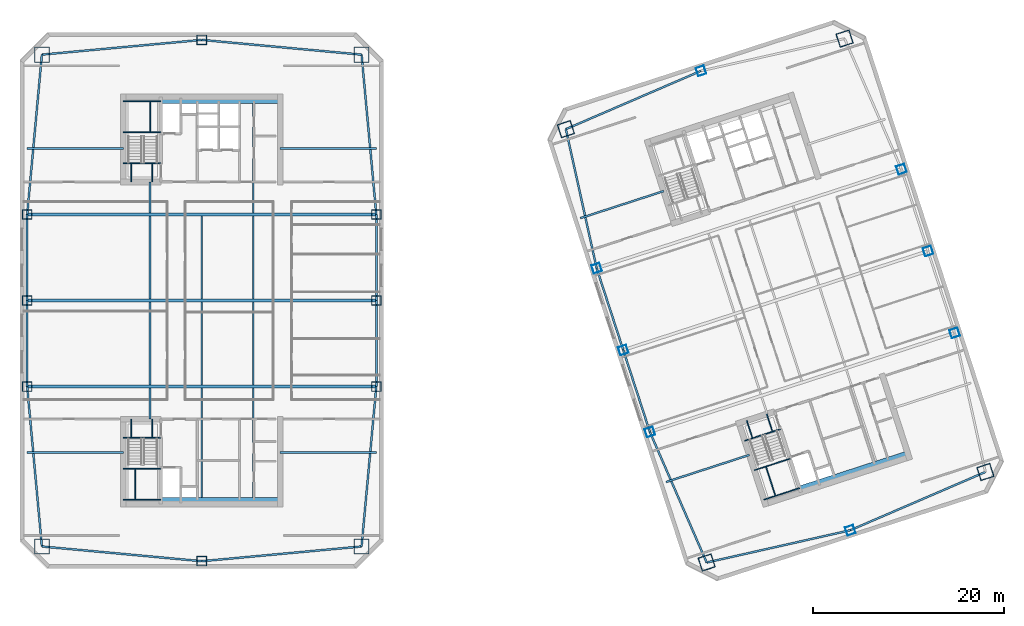
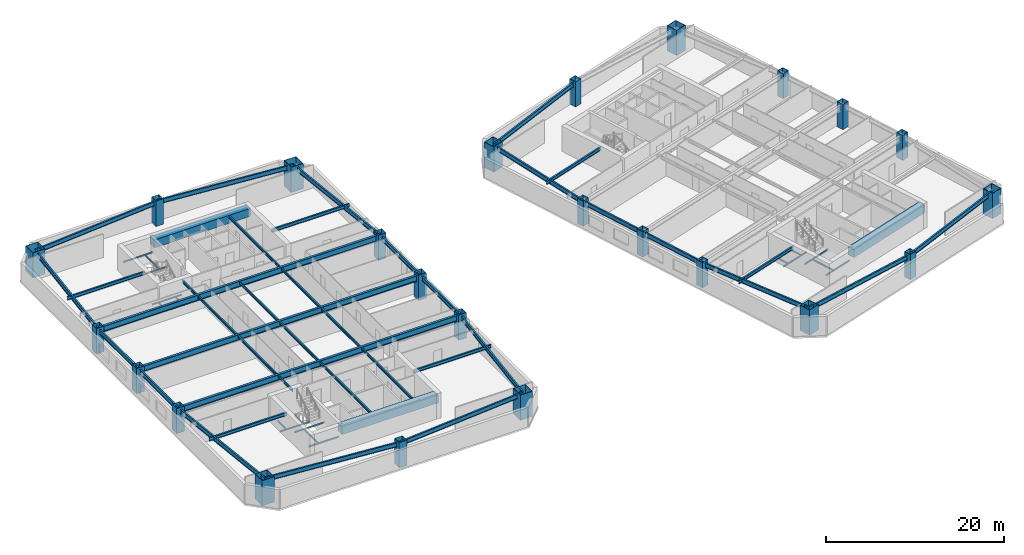
# One storey, part 1 of 10: 60 beams, 24 columns.
"""IFC4 building model written with IfcOpenShell, lengths in metres."""

from ifc_helpers import new_model, si_unit, direction, frame, origin, origin_2d, place, context, subcontext, project, spatial, rectangle, hollow_rectangle, i_section, extrude, material, material_profile, profile_set, type_object, element, save


model = new_model("IFC4")

# Units and contexts
model_context = context("Model", 3, precision=1e-05, world=origin(), true_north=direction((0.0, 1.0)))
body_context = subcontext(model_context, "Body", "Model", "MODEL_VIEW")
ifc_project = project(units=[si_unit("LENGTHUNIT", "METRE"), si_unit("AREAUNIT", "SQUARE_METRE"), si_unit("VOLUMEUNIT", "CUBIC_METRE"), si_unit("PLANEANGLEUNIT", "RADIAN"), si_unit("MASSUNIT", "GRAM", prefix="KILO")], contexts=[model_context])

# Site, building, storey
site_placement = place(None, origin())
site = spatial("IfcSite", under=ifc_project, at=site_placement, CompositionType="ELEMENT")
building_placement = place(site_placement, origin())
building = spatial("IfcBuilding", under=site, at=building_placement, Name="Qiaolan Cultural Towers", CompositionType="ELEMENT")
storey_placement = place(building_placement, frame((0.0, 0.0, 127.64990234375)))
storey = spatial("IfcBuildingStorey", under=building, at=storey_placement, Name="L33", CompositionType="ELEMENT", Elevation=127.64990234375)

# Columns
ifc_material_1 = material(Name="Steel Q355B", Category="steel")
ifc_material_profile_1 = material_profile(ifc_material_1, hollow_rectangle(XDim=1.0, YDim=1.0, WallThickness=0.035888671875, at=origin_2d()), Name="BOX1000x1000x36")
ifc_profile_set_1 = profile_set([ifc_material_profile_1], Name="Steel Q355B")
column_type_1 = type_object("IfcColumnType", Name="COL-BOX1000x1000x36", PredefinedType="COLUMN", material=ifc_profile_set_1)
for number, where, z_axis, x_axis, name in (
    (1, (11.75, 25.0, 0.0), (0.0, 0.0, 1.0), (1.0, 0.0, 0.0), "L33 T1 Perimeter Column PC-W1"),
    (2, (11.75, 34.0, 0.0), (0.0, 0.0, 1.0), (1.0, 0.0, 0.0), "L33 T1 Perimeter Column PC-W2"),
    (3, (11.75, 43.0, 0.0), (0.0, 0.0, 1.0), (1.0, 0.0, 0.0), "L33 T1 Perimeter Column PC-W3"),
    (4, (48.25, 25.0, 0.0), (0.0, 0.0, 1.0), (1.0, 0.0, 0.0), "L33 T1 Perimeter Column PC-E1"),
    (5, (48.25, 34.0, 0.0), (0.0, 0.0, 1.0), (1.0, 0.0, 0.0), "L33 T1 Perimeter Column PC-E2"),
    (6, (48.25, 43.0, 0.0), (0.0, 0.0, 1.0), (1.0, 0.0, 0.0), "L33 T1 Perimeter Column PC-E3"),
    (7, (30.0, 6.75, 0.0), (0.0, 0.0, 1.0), (1.0, 0.0, 0.0), "L33 T1 Perimeter Column PC-S0"),
    (8, (30.0, 61.25, 0.0), (0.0, 0.0, 1.0), (1.0, 0.0, 0.0), "L33 T1 Perimeter Column PC-N0"),
):
    element("IfcColumn", number, at=place(storey_placement, frame(where, z_axis=z_axis, x_axis=x_axis)), inside=storey, type_object=column_type_1, Name=name, PredefinedType="COLUMN", context=body_context, shape_type="SweptSolid", body=[
        extrude(hollow_rectangle(XDim=1.0, YDim=1.0, WallThickness=0.035888671875, at=origin_2d()), origin(), (0.0, 0.0, 1.0), 3.451171875),
    ])
ifc_material_2 = material(Name="Steel Q420GJB", Category="steel")
ifc_material_profile_2 = material_profile(ifc_material_2, hollow_rectangle(XDim=1.449951171875, YDim=1.449951171875, WallThickness=0.050048828125, at=origin_2d()), Name="BOX1450x1450x50")
ifc_profile_set_2 = profile_set([ifc_material_profile_2], Name="Steel Q420GJB")
column_type_2 = type_object("IfcColumnType", Name="COL-BOX1450x1450x50", PredefinedType="COLUMN", material=ifc_profile_set_2)
for number, where, z_axis, x_axis, name in (
    (9, (82.79052734375, 6.611572265625, 0.0), (0.0, 0.0, 1.0), (0.951056516295, 0.309016994375, 0.0), "L33 T2 Perimeter Column MC-SW"),
    (10, (111.930908203125, 16.080078125, 0.0), (0.0, 0.0, 1.0), (0.951056516295, 0.309016994375, 0.0), "L33 T2 Perimeter Column MC-SE"),
    (11, (97.20947265625, 61.388427734375, 0.0), (0.0, 0.0, 1.0), (0.951056516295, 0.309016994375, 0.0), "L33 T2 Perimeter Column MC-NE"),
    (12, (68.069091796875, 51.919921875, 0.0), (0.0, 0.0, 1.0), (0.951056516295, 0.309016994375, 0.0), "L33 T2 Perimeter Column MC-NW"),
):
    element("IfcColumn", number, at=place(storey_placement, frame(where, z_axis=z_axis, x_axis=x_axis)), inside=storey, type_object=column_type_2, Name=name, PredefinedType="COLUMN", context=body_context, shape_type="SweptSolid", body=[
        extrude(hollow_rectangle(XDim=1.449951171875, YDim=1.449951171875, WallThickness=0.050048828125, at=origin_2d()), origin(), (0.0, 0.0, 1.0), 3.451171875),
    ])
ifc_material_3 = material(Name="Steel Q420GJB", Category="steel")
ifc_material_profile_3 = material_profile(ifc_material_3, hollow_rectangle(XDim=1.60009765625, YDim=1.60009765625, WallThickness=0.054931640625, at=origin_2d()), Name="BOX1600x1600x55")
ifc_profile_set_3 = profile_set([ifc_material_profile_3], Name="Steel Q420GJB")
column_type_3 = type_object("IfcColumnType", Name="COL-BOX1600x1600x55", PredefinedType="COLUMN", material=ifc_profile_set_3)
for number, where, z_axis, x_axis, name in (
    (13, (13.2900390625, 8.2900390625, 0.0), (0.0, 0.0, 1.0), (1.0, 0.0, 0.0), "L33 T1 Perimeter Column MC-SW"),
    (14, (46.7099609375, 8.2900390625, 0.0), (0.0, 0.0, 1.0), (1.0, 0.0, 0.0), "L33 T1 Perimeter Column MC-SE"),
    (15, (46.7099609375, 59.7099609375, 0.0), (0.0, 0.0, 1.0), (1.0, 0.0, 0.0), "L33 T1 Perimeter Column MC-NE"),
    (16, (13.2900390625, 59.7099609375, 0.0), (0.0, 0.0, 1.0), (1.0, 0.0, 0.0), "L33 T1 Perimeter Column MC-NW"),
):
    element("IfcColumn", number, at=place(storey_placement, frame(where, z_axis=z_axis, x_axis=x_axis)), inside=storey, type_object=column_type_3, Name=name, PredefinedType="COLUMN", context=body_context, shape_type="SweptSolid", body=[
        extrude(hollow_rectangle(XDim=1.60009765625, YDim=1.60009765625, WallThickness=0.054931640625, at=origin_2d()), origin(), (0.0, 0.0, 1.0), 3.451171875),
    ])
ifc_material_4 = material(Name="Steel Q355B", Category="steel")
ifc_material_profile_4 = material_profile(ifc_material_4, hollow_rectangle(XDim=0.89990234375, YDim=0.89990234375, WallThickness=0.031982421875, at=origin_2d()), Name="BOX900x900x32")
ifc_profile_set_4 = profile_set([ifc_material_profile_4], Name="Steel Q355B")
column_type_4 = type_object("IfcColumnType", Name="COL-BOX900x900x32", PredefinedType="COLUMN", material=ifc_profile_set_4)
for number, where, z_axis, x_axis, name in (
    (17, (76.85107421875, 20.264404296875, 0.0), (0.0, 0.0, 1.0), (0.951056516295, 0.309016994375, 0.0), "L33 T2 Perimeter Column PC-W1"),
    (18, (74.06982421875, 28.823974609375, 0.0), (0.0, 0.0, 1.0), (0.951056516295, 0.309016994375, 0.0), "L33 T2 Perimeter Column PC-W2"),
    (19, (71.28857421875, 37.383544921875, 0.0), (0.0, 0.0, 1.0), (0.951056516295, 0.309016994375, 0.0), "L33 T2 Perimeter Column PC-W3"),
    (20, (108.71142578125, 30.616455078125, 0.0), (0.0, 0.0, 1.0), (0.951056516295, 0.309016994375, 0.0), "L33 T2 Perimeter Column PC-E1"),
    (21, (105.93017578125, 39.176025390625, 0.0), (0.0, 0.0, 1.0), (0.951056516295, 0.309016994375, 0.0), "L33 T2 Perimeter Column PC-E2"),
    (22, (103.14892578125, 47.735595703125, 0.0), (0.0, 0.0, 1.0), (0.951056516295, 0.309016994375, 0.0), "L33 T2 Perimeter Column PC-E3"),
    (23, (97.802734375, 9.98583984375, 0.0), (0.0, 0.0, 1.0), (0.951056516295, 0.309016994375, 0.0), "L33 T2 Perimeter Column PC-S0"),
    (24, (82.197265625, 58.01416015625, 0.0), (0.0, 0.0, 1.0), (0.951056516295, 0.309016994375, 0.0), "L33 T2 Perimeter Column PC-N0"),
):
    element("IfcColumn", number, at=place(storey_placement, frame(where, z_axis=z_axis, x_axis=x_axis)), inside=storey, type_object=column_type_4, Name=name, PredefinedType="COLUMN", context=body_context, shape_type="SweptSolid", body=[
        extrude(hollow_rectangle(XDim=0.89990234375, YDim=0.89990234375, WallThickness=0.031982421875, at=origin_2d()), origin(), (0.0, 0.0, 1.0), 3.451171875),
    ])

# Beams
ifc_material_5 = material(Name="Steel Q355B", Category="steel")
ifc_material_profile_5 = material_profile(ifc_material_5, i_section(OverallWidth=0.300048828125, OverallDepth=0.800048828125, WebThickness=0.013916015625, FlangeThickness=0.02587890625, at=origin_2d()), Name="HN800x300x14x26")
ifc_profile_set_5 = profile_set([ifc_material_profile_5], Name="Steel Q355B")
beam_type_1 = type_object("IfcBeamType", Name="BM-HN800x300x14x26", PredefinedType="BEAM", material=ifc_profile_set_5)
for number, where, z_axis, x_axis, name in (
    (25, (11.75, 25.0, 2.7900390625), (1.0, 0.0, 0.0), (0.0, 1.0, 0.0), "L33 T1 Primary Transverse Girder V1"),
    (26, (11.75, 34.0, 2.7900390625), (1.0, 0.0, 0.0), (0.0, 1.0, 0.0), "L33 T1 Primary Transverse Girder V2"),
    (27, (11.75, 43.0, 2.7900390625), (1.0, 0.0, 0.0), (0.0, 1.0, 0.0), "L33 T1 Primary Transverse Girder V3"),
):
    element("IfcBeam", number, at=place(storey_placement, frame(where, z_axis=z_axis, x_axis=x_axis)), inside=storey, type_object=beam_type_1, Name=name, PredefinedType="BEAM", context=body_context, shape_type="SweptSolid", body=[
        extrude(i_section(OverallWidth=0.300048828125, OverallDepth=0.800048828125, WebThickness=0.013916015625, FlangeThickness=0.02587890625, at=origin_2d()), origin(), (0.0, 0.0, 1.0), 36.5),
    ])
ifc_material_6 = material(Name="Steel Q355B", Category="steel")
ifc_material_profile_6 = material_profile(ifc_material_6, i_section(OverallWidth=0.175048828125, OverallDepth=0.35009765625, WebThickness=0.007080078125, FlangeThickness=0.010986328125, at=origin_2d()), Name="HN350x175x7x11")
ifc_profile_set_6 = profile_set([ifc_material_profile_6], Name="Steel Q355B")
beam_type_2 = type_object("IfcBeamType", Name="BM-JST-HN350x175x7x11", PredefinedType="JOIST", material=ifc_profile_set_6)
beam_1_placement = place(storey_placement, frame((24.60009765625, 21.60009765625, 3.01513671875), z_axis=(0.0, 1.0, 0.0), x_axis=(-1.0, 0.0, 0.0)))
element("IfcBeam", 28, at=beam_1_placement, inside=storey, type_object=beam_type_2, Name="L33 T1 Secondary Floor Joist U1-1", PredefinedType="JOIST", context=body_context, shape_type="SweptSolid", body=[
    extrude(i_section(OverallWidth=0.175048828125, OverallDepth=0.35009765625, WebThickness=0.007080078125, FlangeThickness=0.010986328125, at=origin_2d()), origin(), (0.0, 0.0, 1.0), 3.25),
])
for number, where, z_axis, x_axis, name in (
    (29, (24.60009765625, 25.14990234375, 3.01513671875), (0.0, 1.0, 0.0), (-1.0, 0.0, 0.0), "L33 T1 Secondary Floor Joist U1-2"),
    (30, (24.60009765625, 34.14990234375, 3.01513671875), (0.0, 1.0, 0.0), (-1.0, 0.0, 0.0), "L33 T1 Secondary Floor Joist U1-3"),
):
    element("IfcBeam", number, at=place(storey_placement, frame(where, z_axis=z_axis, x_axis=x_axis)), inside=storey, type_object=beam_type_2, Name=name, PredefinedType="JOIST", context=body_context, shape_type="SweptSolid", body=[
        extrude(i_section(OverallWidth=0.175048828125, OverallDepth=0.35009765625, WebThickness=0.007080078125, FlangeThickness=0.010986328125, at=origin_2d()), origin(), (0.0, 0.0, 1.0), 8.7001953125),
    ])
beam_2_placement = place(storey_placement, frame((24.60009765625, 43.14990234375, 3.01513671875), z_axis=(0.0, 1.0, 0.0), x_axis=(-1.0, 0.0, 0.0)))
element("IfcBeam", 31, at=beam_2_placement, inside=storey, type_object=beam_type_2, Name="L33 T1 Secondary Floor Joist U1-4", PredefinedType="JOIST", context=body_context, shape_type="SweptSolid", body=[
    extrude(i_section(OverallWidth=0.175048828125, OverallDepth=0.35009765625, WebThickness=0.007080078125, FlangeThickness=0.010986328125, at=origin_2d()), origin(), (0.0, 0.0, 1.0), 3.25),
])
beam_3_placement = place(storey_placement, frame((30.0, 13.39990234375, 3.01513671875), z_axis=(0.0, 1.0, 0.0), x_axis=(-1.0, 0.0, 0.0)))
element("IfcBeam", 32, at=beam_3_placement, inside=storey, type_object=beam_type_2, Name="L33 T1 Secondary Floor Joist U2-1", PredefinedType="JOIST", context=body_context, shape_type="SweptSolid", body=[
    extrude(i_section(OverallWidth=0.175048828125, OverallDepth=0.35009765625, WebThickness=0.007080078125, FlangeThickness=0.010986328125, at=origin_2d()), origin(), (0.0, 0.0, 1.0), 11.4501953125),
])
for number, where, z_axis, x_axis, name in (
    (33, (30.0, 25.14990234375, 3.01513671875), (0.0, 1.0, 0.0), (-1.0, 0.0, 0.0), "L33 T1 Secondary Floor Joist U2-2"),
    (34, (30.0, 34.14990234375, 3.01513671875), (0.0, 1.0, 0.0), (-1.0, 0.0, 0.0), "L33 T1 Secondary Floor Joist U2-3"),
):
    element("IfcBeam", number, at=place(storey_placement, frame(where, z_axis=z_axis, x_axis=x_axis)), inside=storey, type_object=beam_type_2, Name=name, PredefinedType="JOIST", context=body_context, shape_type="SweptSolid", body=[
        extrude(i_section(OverallWidth=0.175048828125, OverallDepth=0.35009765625, WebThickness=0.007080078125, FlangeThickness=0.010986328125, at=origin_2d()), origin(), (0.0, 0.0, 1.0), 8.7001953125),
    ])
beam_4_placement = place(storey_placement, frame((35.39990234375, 13.39990234375, 3.01513671875), z_axis=(0.0, 1.0, 0.0), x_axis=(-1.0, 0.0, 0.0)))
element("IfcBeam", 35, at=beam_4_placement, inside=storey, type_object=beam_type_2, Name="L33 T1 Secondary Floor Joist U3-1", PredefinedType="JOIST", context=body_context, shape_type="SweptSolid", body=[
    extrude(i_section(OverallWidth=0.175048828125, OverallDepth=0.35009765625, WebThickness=0.007080078125, FlangeThickness=0.010986328125, at=origin_2d()), origin(), (0.0, 0.0, 1.0), 11.4501953125),
])
for number, where, z_axis, x_axis, name in (
    (36, (35.39990234375, 25.14990234375, 3.01513671875), (0.0, 1.0, 0.0), (-1.0, 0.0, 0.0), "L33 T1 Secondary Floor Joist U3-2"),
    (37, (35.39990234375, 34.14990234375, 3.01513671875), (0.0, 1.0, 0.0), (-1.0, 0.0, 0.0), "L33 T1 Secondary Floor Joist U3-3"),
):
    element("IfcBeam", number, at=place(storey_placement, frame(where, z_axis=z_axis, x_axis=x_axis)), inside=storey, type_object=beam_type_2, Name=name, PredefinedType="JOIST", context=body_context, shape_type="SweptSolid", body=[
        extrude(i_section(OverallWidth=0.175048828125, OverallDepth=0.35009765625, WebThickness=0.007080078125, FlangeThickness=0.010986328125, at=origin_2d()), origin(), (0.0, 0.0, 1.0), 8.7001953125),
    ])
beam_5_placement = place(storey_placement, frame((35.39990234375, 43.14990234375, 3.01513671875), z_axis=(0.0, 1.0, 0.0), x_axis=(-1.0, 0.0, 0.0)))
element("IfcBeam", 38, at=beam_5_placement, inside=storey, type_object=beam_type_2, Name="L33 T1 Secondary Floor Joist U3-4", PredefinedType="JOIST", context=body_context, shape_type="SweptSolid", body=[
    extrude(i_section(OverallWidth=0.175048828125, OverallDepth=0.35009765625, WebThickness=0.007080078125, FlangeThickness=0.010986328125, at=origin_2d()), origin(), (0.0, 0.0, 1.0), 11.4501953125),
])
ifc_material_7 = material(Name="Steel Q355B", Category="steel")
ifc_material_profile_7 = material_profile(ifc_material_7, i_section(OverallWidth=0.199951171875, OverallDepth=0.449951171875, WebThickness=0.009033203125, FlangeThickness=0.013916015625, at=origin_2d()), Name="HN450x200x9x14")
ifc_profile_set_7 = profile_set([ifc_material_profile_7], Name="Steel Q355B")
beam_type_3 = type_object("IfcBeamType", Name="BM-LNT-HN450x200x9x14", PredefinedType="LINTEL", material=ifc_profile_set_7)
for number, where, z_axis, x_axis, name in (
    (39, (21.800048828125, 18.10009765625, 2.965087890625), (-1.0, 0.0, 0.0), (0.0, -1.0, 0.0), "L33 T1 Core Flank Tie Lintel WS"),
    (40, (21.800048828125, 49.89990234375, 2.965087890625), (-1.0, 0.0, 0.0), (0.0, -1.0, 0.0), "L33 T1 Core Flank Tie Lintel WN"),
    (41, (38.199951171875, 18.10009765625, 2.965087890625), (1.0, 0.0, 0.0), (0.0, 1.0, 0.0), "L33 T1 Core Flank Tie Lintel ES"),
    (42, (38.199951171875, 49.89990234375, 2.965087890625), (1.0, 0.0, 0.0), (0.0, 1.0, 0.0), "L33 T1 Core Flank Tie Lintel EN"),
):
    element("IfcBeam", number, at=place(storey_placement, frame(where, z_axis=z_axis, x_axis=x_axis)), inside=storey, type_object=beam_type_3, Name=name, PredefinedType="LINTEL", context=body_context, shape_type="SweptSolid", body=[
        extrude(i_section(OverallWidth=0.199951171875, OverallDepth=0.449951171875, WebThickness=0.009033203125, FlangeThickness=0.013916015625, at=origin_2d()), origin(), (0.0, 0.0, 1.0), 10.050048828125),
    ])
for number, where, z_axis, x_axis, name in (
    (43, (87.252685546875, 17.861083984375, 2.965087890625), (-0.951059948176, -0.309006431933, 0.0), (0.309006431933, -0.951059948176, 0.0), "L33 T2 Core Flank Tie Lintel WS"),
    (44, (78.291259765625, 45.44189453125, 2.965087890625), (-0.951052106475, -0.309030566076, 0.0), (0.309030566076, -0.951052106475, 0.0), "L33 T2 Core Flank Tie Lintel WN"),
):
    element("IfcBeam", number, at=place(storey_placement, frame(where, z_axis=z_axis, x_axis=x_axis)), inside=storey, type_object=beam_type_3, Name=name, PredefinedType="LINTEL", context=body_context, shape_type="SweptSolid", body=[
        extrude(i_section(OverallWidth=0.199951171875, OverallDepth=0.449951171875, WebThickness=0.009033203125, FlangeThickness=0.013916015625, at=origin_2d()), origin(), (0.0, 0.0, 1.0), 9.14990234375),
    ])
ifc_material_8 = material(Name="Concrete C50", Category="concrete")
ifc_material_profile_8 = material_profile(ifc_material_8, rectangle(XDim=0.89990234375, YDim=1.10009765625, at=origin_2d()), Name="RC900x1100")
ifc_profile_set_8 = profile_set([ifc_material_profile_8], Name="Concrete C50")
beam_type_4 = type_object("IfcBeamType", Name="BM-RC900x1100", PredefinedType="BEAM", material=ifc_profile_set_8)
for number, where, z_axis, x_axis, name in (
    (45, (25.719970703125, 12.949951171875, 2.64013671875), (1.0, 0.0, 0.0), (0.0, 1.0, 0.0), "L33 T1 Core Header Girder S"),
    (46, (25.719970703125, 55.050048828125, 2.64013671875), (1.0, 0.0, 0.0), (0.0, 1.0, 0.0), "L33 T1 Core Header Girder N"),
):
    element("IfcBeam", number, at=place(storey_placement, frame(where, z_axis=z_axis, x_axis=x_axis)), inside=storey, type_object=beam_type_4, Name=name, PredefinedType="BEAM", context=body_context, shape_type="SweptSolid", body=[
        extrude(rectangle(XDim=0.89990234375, YDim=1.10009765625, at=origin_2d()), origin(), (0.0, 0.0, 1.0), 12.47998046875),
    ])
beam_6_placement = place(storey_placement, frame((92.572265625, 14.174560546875, 2.64013671875), z_axis=(0.951056266386, 0.309017763514, 0.0), x_axis=(-0.309017763514, 0.951056266386, 0.0)))
element("IfcBeam", 47, at=beam_6_placement, inside=storey, type_object=beam_type_4, Name="L33 T2 Core Header Girder S", PredefinedType="BEAM", context=body_context, shape_type="SweptSolid", body=[
    extrude(rectangle(XDim=0.89990234375, YDim=1.10009765625, at=origin_2d()), origin(), (0.0, 0.0, 1.0), 11.880126953125),
])
ifc_material_9 = material(Name="Steel Q355B", Category="steel")
ifc_material_profile_9 = material_profile(ifc_material_9, i_section(OverallWidth=0.199951171875, OverallDepth=0.60009765625, WebThickness=0.010986328125, FlangeThickness=0.01708984375, at=origin_2d()), Name="HN600x200x11x17")
ifc_profile_set_9 = profile_set([ifc_material_profile_9], Name="Steel Q355B")
beam_type_5 = type_object("IfcBeamType", Name="BM-SPD-HN600x200x11x17", PredefinedType="SPANDREL", material=ifc_profile_set_9)
for number, where, z_axis, x_axis, name in (
    (48, (13.2900390625, 8.2900390625, 2.89013671875), (0.995779862064, -0.09177399582, 0.0), (0.09177399582, 0.995779862064, 0.0), "L33 T1 Perimeter Spandrel Beam 1"),
    (49, (30.0, 6.75, 2.89013671875), (0.995779862064, 0.09177399582, 0.0), (-0.09177399582, 0.995779862064, 0.0), "L33 T1 Perimeter Spandrel Beam 2"),
    (50, (46.7099609375, 8.2900390625, 2.89013671875), (0.09177399582, 0.995779862064, 0.0), (-0.995779862064, 0.09177399582, 0.0), "L33 T1 Perimeter Spandrel Beam 3"),
):
    element("IfcBeam", number, at=place(storey_placement, frame(where, z_axis=z_axis, x_axis=x_axis)), inside=storey, type_object=beam_type_5, Name=name, PredefinedType="SPANDREL", context=body_context, shape_type="SweptSolid", body=[
        extrude(i_section(OverallWidth=0.199951171875, OverallDepth=0.60009765625, WebThickness=0.010986328125, FlangeThickness=0.01708984375, at=origin_2d()), origin(), (0.0, 0.0, 1.0), 16.78076171875),
    ])
for number, where, z_axis, x_axis, name in (
    (51, (48.25, 25.0, 2.89013671875), (0.0, 1.0, 0.0), (-1.0, 0.0, 0.0), "L33 T1 Perimeter Spandrel Beam 4"),
    (52, (48.25, 34.0, 2.89013671875), (0.0, 1.0, 0.0), (-1.0, 0.0, 0.0), "L33 T1 Perimeter Spandrel Beam 5"),
):
    element("IfcBeam", number, at=place(storey_placement, frame(where, z_axis=z_axis, x_axis=x_axis)), inside=storey, type_object=beam_type_5, Name=name, PredefinedType="SPANDREL", context=body_context, shape_type="SweptSolid", body=[
        extrude(i_section(OverallWidth=0.199951171875, OverallDepth=0.60009765625, WebThickness=0.010986328125, FlangeThickness=0.01708984375, at=origin_2d()), origin(), (0.0, 0.0, 1.0), 9.0),
    ])
for number, where, z_axis, x_axis, name in (
    (53, (48.25, 43.0, 2.89013671875), (-0.09177399582, 0.995779862064, 0.0), (-0.995779862064, -0.09177399582, 0.0), "L33 T1 Perimeter Spandrel Beam 6"),
    (54, (46.7099609375, 59.7099609375, 2.89013671875), (-0.995779862064, 0.09177399582, 0.0), (-0.09177399582, -0.995779862064, 0.0), "L33 T1 Perimeter Spandrel Beam 7"),
    (55, (30.0, 61.25, 2.89013671875), (-0.995779862064, -0.09177399582, 0.0), (0.09177399582, -0.995779862064, 0.0), "L33 T1 Perimeter Spandrel Beam 8"),
    (56, (13.2900390625, 59.7099609375, 2.89013671875), (-0.09177399582, -0.995779862064, 0.0), (0.995779862064, -0.09177399582, 0.0), "L33 T1 Perimeter Spandrel Beam 9"),
):
    element("IfcBeam", number, at=place(storey_placement, frame(where, z_axis=z_axis, x_axis=x_axis)), inside=storey, type_object=beam_type_5, Name=name, PredefinedType="SPANDREL", context=body_context, shape_type="SweptSolid", body=[
        extrude(i_section(OverallWidth=0.199951171875, OverallDepth=0.60009765625, WebThickness=0.010986328125, FlangeThickness=0.01708984375, at=origin_2d()), origin(), (0.0, 0.0, 1.0), 16.78076171875),
    ])
for number, where, z_axis, x_axis, name in (
    (57, (11.75, 43.0, 2.89013671875), (0.0, -1.0, 0.0), (1.0, 0.0, 0.0), "L33 T1 Perimeter Spandrel Beam 10"),
    (58, (11.75, 34.0, 2.89013671875), (0.0, -1.0, 0.0), (1.0, 0.0, 0.0), "L33 T1 Perimeter Spandrel Beam 11"),
):
    element("IfcBeam", number, at=place(storey_placement, frame(where, z_axis=z_axis, x_axis=x_axis)), inside=storey, type_object=beam_type_5, Name=name, PredefinedType="SPANDREL", context=body_context, shape_type="SweptSolid", body=[
        extrude(i_section(OverallWidth=0.199951171875, OverallDepth=0.60009765625, WebThickness=0.010986328125, FlangeThickness=0.01708984375, at=origin_2d()), origin(), (0.0, 0.0, 1.0), 9.0),
    ])
beam_7_placement = place(storey_placement, frame((11.75, 25.0, 2.89013671875), z_axis=(0.09177399582, -0.995779862064, 0.0), x_axis=(0.995779862064, 0.09177399582, 0.0)))
element("IfcBeam", 59, at=beam_7_placement, inside=storey, type_object=beam_type_5, Name="L33 T1 Perimeter Spandrel Beam 12", PredefinedType="SPANDREL", context=body_context, shape_type="SweptSolid", body=[
    extrude(i_section(OverallWidth=0.199951171875, OverallDepth=0.60009765625, WebThickness=0.010986328125, FlangeThickness=0.01708984375, at=origin_2d()), origin(), (0.0, 0.0, 1.0), 16.78076171875),
])
beam_8_placement = place(storey_placement, frame((82.79052734375, 6.611572265625, 2.89013671875), z_axis=(0.975658154374, 0.219296980836, 0.0), x_axis=(-0.219296980836, 0.975658154374, 0.0)))
element("IfcBeam", 60, at=beam_8_placement, inside=storey, type_object=beam_type_5, Name="L33 T2 Perimeter Spandrel Beam 1", PredefinedType="SPANDREL", context=body_context, shape_type="SweptSolid", body=[
    extrude(i_section(OverallWidth=0.199951171875, OverallDepth=0.60009765625, WebThickness=0.010986328125, FlangeThickness=0.01708984375, at=origin_2d()), origin(), (0.0, 0.0, 1.0), 15.38671875),
])
for number, where, z_axis, x_axis, name in (
    (61, (97.802734375, 9.98583984375, 2.89013671875), (0.918217549337, 0.396076422032, 0.0), (-0.396076422032, 0.918217549337, 0.0), "L33 T2 Perimeter Spandrel Beam 2"),
    (62, (82.197265625, 58.01416015625, 2.89013671875), (-0.918217549337, -0.396076422032, 0.0), (0.396076422032, -0.918217549337, 0.0), "L33 T2 Perimeter Spandrel Beam 8"),
):
    element("IfcBeam", number, at=place(storey_placement, frame(where, z_axis=z_axis, x_axis=x_axis)), inside=storey, type_object=beam_type_5, Name=name, PredefinedType="SPANDREL", context=body_context, shape_type="SweptSolid", body=[
        extrude(i_section(OverallWidth=0.199951171875, OverallDepth=0.60009765625, WebThickness=0.010986328125, FlangeThickness=0.01708984375, at=origin_2d()), origin(), (0.0, 0.0, 1.0), 15.386474609375),
    ])
beam_9_placement = place(storey_placement, frame((68.069091796875, 51.919921875, 2.89013671875), z_axis=(0.216237644833, -0.976340760676, 0.0), x_axis=(0.976340760676, 0.216237644833, 0.0)))
element("IfcBeam", 63, at=beam_9_placement, inside=storey, type_object=beam_type_5, Name="L33 T2 Perimeter Spandrel Beam 9", PredefinedType="SPANDREL", context=body_context, shape_type="SweptSolid", body=[
    extrude(i_section(OverallWidth=0.199951171875, OverallDepth=0.60009765625, WebThickness=0.010986328125, FlangeThickness=0.01708984375, at=origin_2d()), origin(), (0.0, 0.0, 1.0), 14.888671875),
])
for number, where, z_axis, x_axis, name in (
    (64, (71.28857421875, 37.383544921875, 2.89013671875), (0.309024734286, -0.951054001411, 0.0), (0.951054001411, 0.309024734286, 0.0), "L33 T2 Perimeter Spandrel Beam 10"),
    (65, (74.06982421875, 28.823974609375, 2.89013671875), (0.309024734286, -0.951054001411, 0.0), (0.951054001411, 0.309024734286, 0.0), "L33 T2 Perimeter Spandrel Beam 11"),
):
    element("IfcBeam", number, at=place(storey_placement, frame(where, z_axis=z_axis, x_axis=x_axis)), inside=storey, type_object=beam_type_5, Name=name, PredefinedType="SPANDREL", context=body_context, shape_type="SweptSolid", body=[
        extrude(i_section(OverallWidth=0.199951171875, OverallDepth=0.60009765625, WebThickness=0.010986328125, FlangeThickness=0.01708984375, at=origin_2d()), origin(), (0.0, 0.0, 1.0), 9.0),
    ])
beam_10_placement = place(storey_placement, frame((76.85107421875, 20.264404296875, 2.89013671875), z_axis=(0.398920370799, -0.916985571185, 0.0), x_axis=(0.916985571185, 0.398920370799, 0.0)))
element("IfcBeam", 66, at=beam_10_placement, inside=storey, type_object=beam_type_5, Name="L33 T2 Perimeter Spandrel Beam 12", PredefinedType="SPANDREL", context=body_context, shape_type="SweptSolid", body=[
    extrude(i_section(OverallWidth=0.199951171875, OverallDepth=0.60009765625, WebThickness=0.010986328125, FlangeThickness=0.01708984375, at=origin_2d()), origin(), (0.0, 0.0, 1.0), 14.888916015625),
])
ifc_material_10 = material(Name="Steel Q355B", Category="steel")
ifc_material_profile_10 = material_profile(ifc_material_10, i_section(OverallWidth=0.10009765625, OverallDepth=0.199951171875, WebThickness=0.005615234375, FlangeThickness=0.008056640625, at=origin_2d()), Name="HN200x100x5.5x8")
ifc_profile_set_10 = profile_set([ifc_material_profile_10], Name="Steel Q355B")
beam_type_6 = type_object("IfcBeamType", Name="BM-STTRIM-200", PredefinedType="BEAM", material=ifc_profile_set_10)
beam_11_placement = place(storey_placement, frame((21.800048828125, 19.659912109375, -0.4599609375), z_axis=(1.0, 0.0, 0.0), x_axis=(0.0, 1.0, 0.0)))
element("IfcBeam", 67, at=beam_11_placement, inside=storey, type_object=beam_type_6, Name="L33 ST-W1 Floor Landing Header Beam", PredefinedType="BEAM", context=body_context, shape_type="SweptSolid", body=[
    extrude(i_section(OverallWidth=0.10009765625, OverallDepth=0.199951171875, WebThickness=0.005615234375, FlangeThickness=0.008056640625, at=origin_2d()), origin(), (0.0, 0.0, 1.0), 3.919921875),
])
for number, where, z_axis, x_axis, name in (
    (68, (22.64990234375, 21.60009765625, -0.4599609375), (0.0, -1.0, 0.0), (1.0, 0.0, 0.0), "L33 ST-W1 Floor Landing Stringer 1"),
    (69, (24.85009765625, 21.60009765625, -0.4599609375), (0.0, -1.0, 0.0), (1.0, 0.0, 0.0), "L33 ST-W1 Floor Landing Stringer 2"),
):
    element("IfcBeam", number, at=place(storey_placement, frame(where, z_axis=z_axis, x_axis=x_axis)), inside=storey, type_object=beam_type_6, Name=name, PredefinedType="BEAM", context=body_context, shape_type="SweptSolid", body=[
        extrude(i_section(OverallWidth=0.10009765625, OverallDepth=0.199951171875, WebThickness=0.005615234375, FlangeThickness=0.008056640625, at=origin_2d()), origin(), (0.0, 0.0, 1.0), 1.940185546875),
    ])
for number, where, z_axis, x_axis, name in (
    (70, (21.800048828125, 16.411376953125, 1.425048828125), (1.0, 0.0, 0.0), (0.0, 1.0, 0.0), "L33 ST-W1 Stair Landing Support Beam 1-1"),
    (71, (21.800048828125, 13.179931640625, 1.425048828125), (1.0, 0.0, 0.0), (0.0, 1.0, 0.0), "L33 ST-W1 Stair Landing Support Beam 1-2"),
):
    element("IfcBeam", number, at=place(storey_placement, frame(where, z_axis=z_axis, x_axis=x_axis)), inside=storey, type_object=beam_type_6, Name=name, PredefinedType="BEAM", context=body_context, shape_type="SweptSolid", body=[
        extrude(i_section(OverallWidth=0.10009765625, OverallDepth=0.199951171875, WebThickness=0.005615234375, FlangeThickness=0.008056640625, at=origin_2d()), origin(), (0.0, 0.0, 1.0), 3.919921875),
    ])
beam_12_placement = place(storey_placement, frame((23.070068359375, 16.411376953125, 1.425048828125), z_axis=(0.0, -1.0, 0.0), x_axis=(1.0, 0.0, 0.0)))
element("IfcBeam", 72, at=beam_12_placement, inside=storey, type_object=beam_type_6, Name="L33 ST-W1 Stair Landing Trimmer 1", PredefinedType="BEAM", context=body_context, shape_type="SweptSolid", body=[
    extrude(i_section(OverallWidth=0.10009765625, OverallDepth=0.199951171875, WebThickness=0.005615234375, FlangeThickness=0.008056640625, at=origin_2d()), origin(), (0.0, 0.0, 1.0), 3.2314453125),
])
beam_13_placement = place(storey_placement, frame((21.800048828125, 48.340087890625, -0.4599609375), z_axis=(1.0, 0.0, 0.0), x_axis=(0.0, 1.0, 0.0)))
element("IfcBeam", 73, at=beam_13_placement, inside=storey, type_object=beam_type_6, Name="L33 ST-W2 Floor Landing Header Beam", PredefinedType="BEAM", context=body_context, shape_type="SweptSolid", body=[
    extrude(i_section(OverallWidth=0.10009765625, OverallDepth=0.199951171875, WebThickness=0.005615234375, FlangeThickness=0.008056640625, at=origin_2d()), origin(), (0.0, 0.0, 1.0), 3.919921875),
])
for number, where, z_axis, x_axis, name in (
    (74, (22.64990234375, 46.39990234375, -0.4599609375), (0.0, 1.0, 0.0), (-1.0, 0.0, 0.0), "L33 ST-W2 Floor Landing Stringer 1"),
    (75, (24.85009765625, 46.39990234375, -0.4599609375), (0.0, 1.0, 0.0), (-1.0, 0.0, 0.0), "L33 ST-W2 Floor Landing Stringer 2"),
):
    element("IfcBeam", number, at=place(storey_placement, frame(where, z_axis=z_axis, x_axis=x_axis)), inside=storey, type_object=beam_type_6, Name=name, PredefinedType="BEAM", context=body_context, shape_type="SweptSolid", body=[
        extrude(i_section(OverallWidth=0.10009765625, OverallDepth=0.199951171875, WebThickness=0.005615234375, FlangeThickness=0.008056640625, at=origin_2d()), origin(), (0.0, 0.0, 1.0), 1.940185546875),
    ])
for number, where, z_axis, x_axis, name in (
    (76, (21.800048828125, 51.588623046875, 1.425048828125), (1.0, 0.0, 0.0), (0.0, 1.0, 0.0), "L33 ST-W2 Stair Landing Support Beam 1-1"),
    (77, (21.800048828125, 54.820068359375, 1.425048828125), (1.0, 0.0, 0.0), (0.0, 1.0, 0.0), "L33 ST-W2 Stair Landing Support Beam 1-2"),
):
    element("IfcBeam", number, at=place(storey_placement, frame(where, z_axis=z_axis, x_axis=x_axis)), inside=storey, type_object=beam_type_6, Name=name, PredefinedType="BEAM", context=body_context, shape_type="SweptSolid", body=[
        extrude(i_section(OverallWidth=0.10009765625, OverallDepth=0.199951171875, WebThickness=0.005615234375, FlangeThickness=0.008056640625, at=origin_2d()), origin(), (0.0, 0.0, 1.0), 3.919921875),
    ])
beam_14_placement = place(storey_placement, frame((24.610107421875, 51.588623046875, 1.425048828125), z_axis=(0.0, 1.0, 0.0), x_axis=(-1.0, 0.0, 0.0)))
element("IfcBeam", 78, at=beam_14_placement, inside=storey, type_object=beam_type_6, Name="L33 ST-W2 Stair Landing Trimmer 1", PredefinedType="BEAM", context=body_context, shape_type="SweptSolid", body=[
    extrude(i_section(OverallWidth=0.10009765625, OverallDepth=0.199951171875, WebThickness=0.005615234375, FlangeThickness=0.008056640625, at=origin_2d()), origin(), (0.0, 0.0, 1.0), 3.2314453125),
])
beam_15_placement = place(storey_placement, frame((86.770751953125, 19.3447265625, -0.4599609375), z_axis=(0.951047798727, 0.309043823005, 0.0), x_axis=(-0.309043823005, 0.951047798727, 0.0)))
element("IfcBeam", 79, at=beam_15_placement, inside=storey, type_object=beam_type_6, Name="L33 ST-E1 Floor Landing Header Beam", PredefinedType="BEAM", context=body_context, shape_type="SweptSolid", body=[
    extrude(i_section(OverallWidth=0.10009765625, OverallDepth=0.199951171875, WebThickness=0.005615234375, FlangeThickness=0.008056640625, at=origin_2d()), origin(), (0.0, 0.0, 1.0), 3.919921875),
])
for number, where, z_axis, x_axis, name in (
    (80, (86.9794921875, 21.452392578125, -0.4599609375), (0.309083226701, -0.951034993558, 0.0), (0.951034993558, 0.309083226701, 0.0), "L33 ST-E1 Floor Landing Stringer 1"),
    (81, (89.07177734375, 22.13232421875, -0.4599609375), (0.309083226701, -0.951034993558, 0.0), (0.951034993558, 0.309083226701, 0.0), "L33 ST-E1 Floor Landing Stringer 2"),
):
    element("IfcBeam", number, at=place(storey_placement, frame(where, z_axis=z_axis, x_axis=x_axis)), inside=storey, type_object=beam_type_6, Name=name, PredefinedType="BEAM", context=body_context, shape_type="SweptSolid", body=[
        extrude(i_section(OverallWidth=0.10009765625, OverallDepth=0.199951171875, WebThickness=0.005615234375, FlangeThickness=0.008056640625, at=origin_2d()), origin(), (0.0, 0.0, 1.0), 1.93994140625),
    ])
for number, where, z_axis, x_axis, name in (
    (82, (87.774658203125, 16.255126953125, 1.425048828125), (0.951047798727, 0.309043823005, 0.0), (-0.309043823005, 0.951047798727, 0.0), "L33 ST-E1 Stair Landing Support Beam 1-1"),
    (83, (88.773193359375, 13.181884765625, 1.425048828125), (0.951047798727, 0.309043823005, 0.0), (-0.309043823005, 0.951047798727, 0.0), "L33 ST-E1 Stair Landing Support Beam 1-2"),
):
    element("IfcBeam", number, at=place(storey_placement, frame(where, z_axis=z_axis, x_axis=x_axis)), inside=storey, type_object=beam_type_6, Name=name, PredefinedType="BEAM", context=body_context, shape_type="SweptSolid", body=[
        extrude(i_section(OverallWidth=0.10009765625, OverallDepth=0.199951171875, WebThickness=0.005615234375, FlangeThickness=0.008056640625, at=origin_2d()), origin(), (0.0, 0.0, 1.0), 3.919921875),
    ])
beam_16_placement = place(storey_placement, frame((88.982421875, 16.6474609375, 1.425048828125), z_axis=(0.309033108495, -0.951051280349, 0.0), x_axis=(0.951051280349, 0.309033108495, 0.0)))
element("IfcBeam", 84, at=beam_16_placement, inside=storey, type_object=beam_type_6, Name="L33 ST-E1 Stair Landing Trimmer 1", PredefinedType="BEAM", context=body_context, shape_type="SweptSolid", body=[
    extrude(i_section(OverallWidth=0.10009765625, OverallDepth=0.199951171875, WebThickness=0.005615234375, FlangeThickness=0.008056640625, at=origin_2d()), origin(), (0.0, 0.0, 1.0), 3.231201171875),
])

save(model, "model.ifc")
